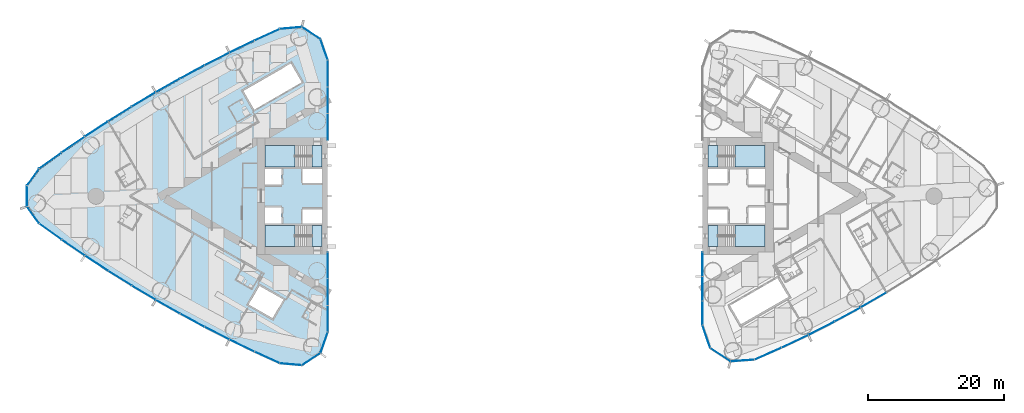
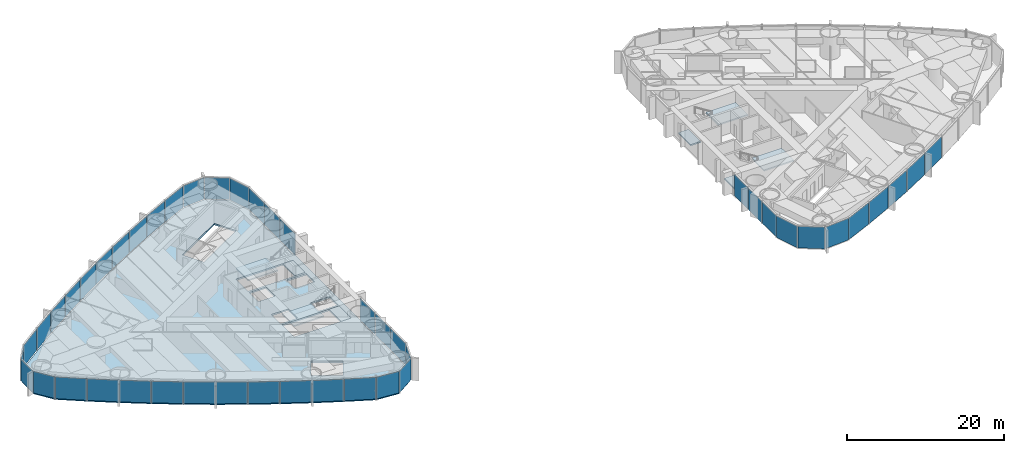
# One storey, part 9 of 18: 46 plates, 9 slabs, 6 elements without a shape of their own.
"""IFC4 building model written with IfcOpenShell, lengths in metres."""

from ifc_helpers import new_model, si_unit, direction, frame, origin, origin_2d, place, context, subcontext, project, spatial, polyline, rectangle, outline, extrude, material, layer, layer_set, type_object, element, aggregate, save


model = new_model("IFC4")

# Units and contexts
model_context = context("Model", 3, precision=1e-05, world=origin(), true_north=direction((0.0, 1.0)))
body_context = subcontext(model_context, "Body", "Model", "MODEL_VIEW")
ifc_project = project(units=[si_unit("LENGTHUNIT", "METRE"), si_unit("AREAUNIT", "SQUARE_METRE"), si_unit("VOLUMEUNIT", "CUBIC_METRE"), si_unit("PLANEANGLEUNIT", "RADIAN"), si_unit("MASSUNIT", "GRAM", prefix="KILO")], contexts=[model_context])

# Site, building, storey
site_placement = place(None, origin())
site = spatial("IfcSite", under=ifc_project, at=site_placement, CompositionType="ELEMENT")
building_placement = place(site_placement, origin())
building = spatial("IfcBuilding", under=site, at=building_placement, Name="Lancet Gate Hotel", CompositionType="ELEMENT")
storey_placement = place(building_placement, frame((0.0, 0.0, 101.10009765625)))
storey = spatial("IfcBuildingStorey", under=building, at=storey_placement, Name="L26", CompositionType="ELEMENT", Elevation=101.10009765625)

# Slab
ifc_material_1 = material(Name="Concrete C50/60", Category="concrete")
ifc_layer_1 = layer(ifc_material_1, 0.25)
ifc_layer_set_1 = layer_set([ifc_layer_1], Name="Floor slab 250")
slab_type_1 = type_object("IfcSlabType", Name="Floor slab 250", PredefinedType="FLOOR", material=ifc_layer_set_1)
slab_1_placement = place(storey_placement, frame((0.0, 0.0, -0.25)))
element("IfcSlab", 1, at=slab_1_placement, inside=storey, type_object=slab_type_1, Name="T1 L26 floor slab", PredefinedType="FLOOR", context=body_context, shape_type="SweptSolid", body=[
    extrude(outline(polyline([(-27.5, 8.60009765625), (-27.6201171875, 8.60009765625), (-27.6201171875, 19.950927734375), (-28.65966796875, 22.970947265625), (-31.320068359375, 24.69921875), (-34.5009765625, 24.421630859375), (-38.201416015625, 22.727783203125), (-41.8818359375, 20.946044921875), (-45.523193359375, 19.085693359375), (-49.12353515625, 17.147216796875), (-52.681396484375, 15.131591796875), (-56.195068359375, 13.0400390625), (-59.662841796875, 10.873291015625), (-63.0830078125, 8.63232421875), (-66.454345703125, 6.318115234375), (-69.76025390625, 3.94287109375), (-71.523193359375, 1.49755859375), (-71.523193359375, -1.49755859375), (-69.76025390625, -3.94287109375), (-66.454345703125, -6.318115234375), (-63.0830078125, -8.63232421875), (-59.662841796875, -10.873291015625), (-56.195068359375, -13.0400390625), (-52.681396484375, -15.131591796875), (-49.12353515625, -17.147216796875), (-45.523193359375, -19.085693359375), (-41.8818359375, -20.946044921875), (-38.201416015625, -22.727783203125), (-34.5009765625, -24.421630859375), (-31.320068359375, -24.69921875), (-28.65966796875, -22.970947265625), (-27.6201171875, -19.950927734375), (-27.6201171875, -8.60009765625), (-27.5, -8.60009765625), (-27.5, -8.199951171875), (-27.5, 8.199951171875), (-27.5, 8.60009765625)]), holes=[polyline([(-36.699951171875, 7.39990234375), (-36.699951171875, 4.300048828125), (-28.300048828125, 4.300048828125), (-28.300048828125, 7.39990234375), (-36.699951171875, 7.39990234375)]), polyline([(-28.300048828125, 4.0), (-31.199951171875, 4.0), (-31.199951171875, 1.89990234375), (-28.300048828125, 1.89990234375), (-28.300048828125, 4.0)]), polyline([(-34.25, 4.0), (-36.699951171875, 4.0), (-36.699951171875, 1.64990234375), (-34.25, 1.64990234375), (-34.25, 4.0)]), polyline([(-36.699951171875, -1.64990234375), (-36.699951171875, -4.0), (-34.25, -4.0), (-34.25, -1.64990234375), (-36.699951171875, -1.64990234375)]), polyline([(-28.300048828125, -1.89990234375), (-31.199951171875, -1.89990234375), (-31.199951171875, -4.0), (-28.300048828125, -4.0), (-28.300048828125, -1.89990234375)]), polyline([(-28.300048828125, -4.300048828125), (-36.699951171875, -4.300048828125), (-36.699951171875, -7.39990234375), (-28.300048828125, -7.39990234375), (-28.300048828125, -4.300048828125)]), polyline([(-31.2900390625, 16.73095703125), (-32.889892578125, 19.501953125), (-39.904052734375, 15.451904296875), (-38.303955078125, 12.680908203125), (-31.2900390625, 16.73095703125)]), polyline([(-33.97412109375, -15.180908203125), (-37.52490234375, -13.131103515625), (-39.125, -15.902099609375), (-35.573974609375, -17.951904296875), (-33.97412109375, -15.180908203125)])]), origin(), (0.0, 0.0, 1.0), 0.25),
])

# Stair, slabs
ifc_material_2 = material(Name="Exit stair 20 risers 1500")
stair_type = type_object("IfcStairType", Name="Exit stair 20 risers 1500", PredefinedType="HALF_TURN_STAIR", material=ifc_material_2)
stair_1_placement = place(storey_placement, origin())
stair_1 = element("IfcStair", 2, at=stair_1_placement, inside=storey, type_object=stair_type, Name="T1 stair 1 L26", PredefinedType="HALF_TURN_STAIR")
ifc_material_3 = material(Name="Concrete C40/50", Category="concrete")
ifc_layer_2 = layer(ifc_material_3, 0.199951171875)
ifc_layer_set_2 = layer_set([ifc_layer_2], Name="Stair landing 200")
slab_type_2 = type_object("IfcSlabType", Name="Stair landing 200", PredefinedType="LANDING", material=ifc_layer_set_2)
slab_2_placement = place(storey_placement, frame((0.0, 0.0, -0.2001953125)))
slab_2 = element("IfcSlab", 3, at=slab_2_placement, type_object=slab_type_2, Name="ST1 landing 1", PredefinedType="LANDING", context=body_context, shape_type="SweptSolid", body=[
    extrude(outline(polyline([(-28.300048828125, 7.39990234375), (-29.800048828125, 7.39990234375), (-29.800048828125, 4.300048828125), (-28.300048828125, 4.300048828125), (-28.300048828125, 7.39990234375)])), origin(), (0.0, 0.0, 1.0), 0.2001953125),
])
slab_3_placement = place(storey_placement, frame((0.0, 0.0, 1.5498046875)))
slab_3 = element("IfcSlab", 4, at=slab_3_placement, type_object=slab_type_2, Name="ST1 landing 2", PredefinedType="LANDING", context=body_context, shape_type="SweptSolid", body=[
    extrude(outline(polyline([(-32.320068359375, 7.39990234375), (-36.699951171875, 7.39990234375), (-36.699951171875, 4.300048828125), (-32.320068359375, 4.300048828125), (-32.320068359375, 7.39990234375)])), origin(), (0.0, 0.0, 1.0), 0.2001953125),
])
aggregate(stair_1, [slab_2, slab_3])

stair_2_placement = place(storey_placement, origin())
stair_2 = element("IfcStair", 5, at=stair_2_placement, inside=storey, type_object=stair_type, Name="T1 stair 2 L26", PredefinedType="HALF_TURN_STAIR")
slab_4_placement = place(storey_placement, frame((0.0, 0.0, -0.2001953125)))
slab_4 = element("IfcSlab", 6, at=slab_4_placement, type_object=slab_type_2, Name="ST2 landing 1", PredefinedType="LANDING", context=body_context, shape_type="SweptSolid", body=[
    extrude(outline(polyline([(-28.300048828125, -4.300048828125), (-29.800048828125, -4.300048828125), (-29.800048828125, -7.39990234375), (-28.300048828125, -7.39990234375), (-28.300048828125, -4.300048828125)])), origin(), (0.0, 0.0, 1.0), 0.2001953125),
])
slab_5_placement = place(storey_placement, frame((0.0, 0.0, 1.5498046875)))
slab_5 = element("IfcSlab", 7, at=slab_5_placement, type_object=slab_type_2, Name="ST2 landing 2", PredefinedType="LANDING", context=body_context, shape_type="SweptSolid", body=[
    extrude(outline(polyline([(-32.320068359375, -4.300048828125), (-36.699951171875, -4.300048828125), (-36.699951171875, -7.39990234375), (-32.320068359375, -7.39990234375), (-32.320068359375, -4.300048828125)])), origin(), (0.0, 0.0, 1.0), 0.2001953125),
])
aggregate(stair_2, [slab_4, slab_5])

stair_3_placement = place(storey_placement, origin())
stair_3 = element("IfcStair", 8, at=stair_3_placement, inside=storey, type_object=stair_type, Name="T2 stair 1 L26", PredefinedType="HALF_TURN_STAIR")
slab_6_placement = place(storey_placement, frame((0.0, 0.0, -0.2001953125)))
slab_6 = element("IfcSlab", 9, at=slab_6_placement, type_object=slab_type_2, Name="ST3 landing 1", PredefinedType="LANDING", context=body_context, shape_type="SweptSolid", body=[
    extrude(outline(polyline([(28.300048828125, -7.39990234375), (29.800048828125, -7.39990234375), (29.800048828125, -4.300048828125), (28.300048828125, -4.300048828125), (28.300048828125, -7.39990234375)])), origin(), (0.0, 0.0, 1.0), 0.2001953125),
])
slab_7_placement = place(storey_placement, frame((0.0, 0.0, 1.5498046875)))
slab_7 = element("IfcSlab", 10, at=slab_7_placement, type_object=slab_type_2, Name="ST3 landing 2", PredefinedType="LANDING", context=body_context, shape_type="SweptSolid", body=[
    extrude(outline(polyline([(32.320068359375, -7.39990234375), (36.699951171875, -7.39990234375), (36.699951171875, -4.300048828125), (32.320068359375, -4.300048828125), (32.320068359375, -7.39990234375)])), origin(), (0.0, 0.0, 1.0), 0.2001953125),
])
aggregate(stair_3, [slab_6, slab_7])

stair_4_placement = place(storey_placement, origin())
stair_4 = element("IfcStair", 11, at=stair_4_placement, inside=storey, type_object=stair_type, Name="T2 stair 2 L26", PredefinedType="HALF_TURN_STAIR")
slab_8_placement = place(storey_placement, frame((0.0, 0.0, -0.2001953125)))
slab_8 = element("IfcSlab", 12, at=slab_8_placement, type_object=slab_type_2, Name="ST4 landing 1", PredefinedType="LANDING", context=body_context, shape_type="SweptSolid", body=[
    extrude(outline(polyline([(28.300048828125, 4.300048828125), (29.800048828125, 4.300048828125), (29.800048828125, 7.39990234375), (28.300048828125, 7.39990234375), (28.300048828125, 4.300048828125)])), origin(), (0.0, 0.0, 1.0), 0.2001953125),
])
slab_9_placement = place(storey_placement, frame((0.0, 0.0, 1.5498046875)))
slab_9 = element("IfcSlab", 13, at=slab_9_placement, type_object=slab_type_2, Name="ST4 landing 2", PredefinedType="LANDING", context=body_context, shape_type="SweptSolid", body=[
    extrude(outline(polyline([(32.320068359375, 4.300048828125), (36.699951171875, 4.300048828125), (36.699951171875, 7.39990234375), (32.320068359375, 7.39990234375), (32.320068359375, 4.300048828125)])), origin(), (0.0, 0.0, 1.0), 0.2001953125),
])
aggregate(stair_4, [slab_8, slab_9])

# Curtain wall, plates
ifc_material_4 = material(Name="Aluminium curtain wall", Category="aluminium")
curtain_wall_type = type_object("IfcCurtainWallType", Name="Tower unitised curtain wall", PredefinedType="USERDEFINED", material=ifc_material_4)
curtain_wall_1_placement = place(storey_placement, origin())
curtain_wall_1 = element("IfcCurtainWall", 14, at=curtain_wall_1_placement, inside=storey, type_object=curtain_wall_type, Name="T1 L26 curtain wall 1", ObjectType="UNITISED CURTAIN WALL", PredefinedType="USERDEFINED")
ifc_material_5 = material(Name="Glass double glazed unit 8-16-6", Category="glass")
ifc_layer_3 = layer(ifc_material_5, 0.030029296875)
ifc_layer_set_3 = layer_set([ifc_layer_3], Name="Vision panel double glazed")
plate_type = type_object("IfcPlateType", Name="Vision panel double glazed", PredefinedType="CURTAIN_PANEL", material=ifc_layer_set_3)
plate_1_placement = place(storey_placement, frame((-27.5, 10.161865234375, -0.000244140625), z_axis=(0.0, 0.0, 1.0), x_axis=(0.0, 1.0, 0.0)))
plate_1 = element("IfcPlate", 15, at=plate_1_placement, type_object=plate_type, Name="T1 L26 curtain wall 1 panel 1", PredefinedType="CURTAIN_PANEL", context=body_context, shape_type="SweptSolid", body=[
    extrude(rectangle(XDim=3.858642578125, YDim=0.030029296875, at=origin_2d()), origin(), (0.0, 0.0, 1.0), 3.35009765625),
])
plate_2_placement = place(storey_placement, frame((-27.5, 14.08544921875, -0.000244140625), z_axis=(0.0, 0.0, 1.0), x_axis=(0.0, 1.0, 0.0)))
plate_2 = element("IfcPlate", 16, at=plate_2_placement, type_object=plate_type, Name="T1 L26 curtain wall 1 panel 2", PredefinedType="CURTAIN_PANEL", context=body_context, shape_type="SweptSolid", body=[
    extrude(rectangle(XDim=3.858642578125, YDim=0.030029296875, at=origin_2d()), origin(), (0.0, 0.0, 1.0), 3.35009765625),
])
plate_3_placement = place(storey_placement, frame((-27.5, 18.00927734375, -0.000244140625), z_axis=(0.0, 0.0, 1.0), x_axis=(0.0, 1.0, 0.0)))
plate_3 = element("IfcPlate", 17, at=plate_3_placement, type_object=plate_type, Name="T1 L26 curtain wall 1 panel 3", PredefinedType="CURTAIN_PANEL", context=body_context, shape_type="SweptSolid", body=[
    extrude(rectangle(XDim=3.858642578125, YDim=0.030029296875, at=origin_2d()), origin(), (0.0, 0.0, 1.0), 3.35009765625),
])
plate_4_placement = place(storey_placement, frame((-28.02978515625, 21.510009765625, -0.000244140625), z_axis=(0.0, 0.0, 1.0), x_axis=(-0.325515820766, 0.945536593914, 0.0)))
plate_4 = element("IfcPlate", 18, at=plate_4_placement, type_object=plate_type, Name="T1 L26 curtain wall 1 panel 4", PredefinedType="CURTAIN_PANEL", context=body_context, shape_type="SweptSolid", body=[
    extrude(rectangle(XDim=3.190185546875, YDim=0.030029296875, at=origin_2d()), origin(), (0.0, 0.0, 1.0), 3.35009765625),
])
plate_5_placement = place(storey_placement, frame((-29.924560546875, 23.935546875, -0.000244140625), z_axis=(0.0, 0.0, 1.0), x_axis=(-0.838580121261, 0.544778285385, 0.0)))
plate_5 = element("IfcPlate", 19, at=plate_5_placement, type_object=plate_type, Name="T1 L26 curtain wall 1 panel 5", PredefinedType="CURTAIN_PANEL", context=body_context, shape_type="SweptSolid", body=[
    extrude(rectangle(XDim=3.190185546875, YDim=0.030029296875, at=origin_2d()), origin(), (0.0, 0.0, 1.0), 3.35009765625),
])
plate_6_placement = place(storey_placement, frame((-32.91064453125, 24.680908203125, -0.000244140625), z_axis=(0.0, 0.0, 1.0), x_axis=(-0.996218779711, -0.086880049207, 0.0)))
plate_6 = element("IfcPlate", 20, at=plate_6_placement, type_object=plate_type, Name="T1 L26 curtain wall 1 panel 6", PredefinedType="CURTAIN_PANEL", context=body_context, shape_type="SweptSolid", body=[
    extrude(rectangle(XDim=3.190185546875, YDim=0.030029296875, at=origin_2d()), origin(), (0.0, 0.0, 1.0), 3.35009765625),
])
plate_7_placement = place(storey_placement, frame((-36.392333984375, 23.68798828125, -0.000244140625), z_axis=(0.0, 0.0, 1.0), x_axis=(-0.909252721243, -0.416244506166, 0.0)))
plate_7 = element("IfcPlate", 21, at=plate_7_placement, type_object=plate_type, Name="T1 L26 curtain wall 1 panel 7", PredefinedType="CURTAIN_PANEL", context=body_context, shape_type="SweptSolid", body=[
    extrude(rectangle(XDim=4.026611328125, YDim=0.030029296875, at=origin_2d()), origin(), (0.0, 0.0, 1.0), 3.35009765625),
])
plate_8_placement = place(storey_placement, frame((-40.093994140625, 21.945068359375, -0.000244140625), z_axis=(0.0, 0.0, 1.0), x_axis=(-0.900081672047, -0.435721222395, 0.0)))
plate_8 = element("IfcPlate", 22, at=plate_8_placement, type_object=plate_type, Name="T1 L26 curtain wall 1 panel 8", PredefinedType="CURTAIN_PANEL", context=body_context, shape_type="SweptSolid", body=[
    extrude(rectangle(XDim=4.026611328125, YDim=0.030029296875, at=origin_2d()), origin(), (0.0, 0.0, 1.0), 3.35009765625),
])
plate_9_placement = place(storey_placement, frame((-43.757080078125, 20.122802734375, -0.000244140625), z_axis=(0.0, 0.0, 1.0), x_axis=(-0.890493479451, -0.45499600334, 0.0)))
plate_9 = element("IfcPlate", 23, at=plate_9_placement, type_object=plate_type, Name="T1 L26 curtain wall 1 panel 9", PredefinedType="CURTAIN_PANEL", context=body_context, shape_type="SweptSolid", body=[
    extrude(rectangle(XDim=4.026611328125, YDim=0.030029296875, at=origin_2d()), origin(), (0.0, 0.0, 1.0), 3.35009765625),
])
plate_10_placement = place(storey_placement, frame((-47.380126953125, 18.221923828125, -0.000244140625), z_axis=(0.0, 0.0, 1.0), x_axis=(-0.880492587094, -0.474059916121, 0.0)))
plate_10 = element("IfcPlate", 24, at=plate_10_placement, type_object=plate_type, Name="T1 L26 curtain wall 1 panel 10", PredefinedType="CURTAIN_PANEL", context=body_context, shape_type="SweptSolid", body=[
    extrude(rectangle(XDim=4.026611328125, YDim=0.030029296875, at=origin_2d()), origin(), (0.0, 0.0, 1.0), 3.35009765625),
])
plate_11_placement = place(storey_placement, frame((-50.961669921875, 16.243896484375, -0.000244140625), z_axis=(0.0, 0.0, 1.0), x_axis=(-0.870083629903, -0.49290412554, 0.0)))
plate_11 = element("IfcPlate", 25, at=plate_11_placement, type_object=plate_type, Name="T1 L26 curtain wall 1 panel 11", PredefinedType="CURTAIN_PANEL", context=body_context, shape_type="SweptSolid", body=[
    extrude(rectangle(XDim=4.026611328125, YDim=0.030029296875, at=origin_2d()), origin(), (0.0, 0.0, 1.0), 3.35009765625),
])
plate_12_placement = place(storey_placement, frame((-54.49951171875, 14.18896484375, -0.000244140625), z_axis=(0.0, 0.0, 1.0), x_axis=(-0.859271431916, -0.511519898238, 0.0)))
plate_12 = element("IfcPlate", 26, at=plate_12_placement, type_object=plate_type, Name="T1 L26 curtain wall 1 panel 12", PredefinedType="CURTAIN_PANEL", context=body_context, shape_type="SweptSolid", body=[
    extrude(rectangle(XDim=4.026611328125, YDim=0.030029296875, at=origin_2d()), origin(), (0.0, 0.0, 1.0), 3.35009765625),
])
plate_13_placement = place(storey_placement, frame((-57.992431640625, 12.058349609375, -0.000244140625), z_axis=(0.0, 0.0, 1.0), x_axis=(-0.848061004052, -0.529898606722, 0.0)))
plate_13 = element("IfcPlate", 27, at=plate_13_placement, type_object=plate_type, Name="T1 L26 curtain wall 1 panel 13", PredefinedType="CURTAIN_PANEL", context=body_context, shape_type="SweptSolid", body=[
    extrude(rectangle(XDim=4.026611328125, YDim=0.030029296875, at=origin_2d()), origin(), (0.0, 0.0, 1.0), 3.35009765625),
])
plate_14_placement = place(storey_placement, frame((-61.438720703125, 9.85302734375, -0.000244140625), z_axis=(0.0, 0.0, 1.0), x_axis=(-0.836457541791, -0.54803173337, 0.0)))
plate_14 = element("IfcPlate", 28, at=plate_14_placement, type_object=plate_type, Name="T1 L26 curtain wall 1 panel 14", PredefinedType="CURTAIN_PANEL", context=body_context, shape_type="SweptSolid", body=[
    extrude(rectangle(XDim=4.026611328125, YDim=0.030029296875, at=origin_2d()), origin(), (0.0, 0.0, 1.0), 3.35009765625),
])
plate_15_placement = place(storey_placement, frame((-64.836669921875, 7.57421875, -0.000244140625), z_axis=(0.0, 0.0, 1.0), x_axis=(-0.824466422775, -0.565910874357, 0.0)))
plate_15 = element("IfcPlate", 29, at=plate_15_placement, type_object=plate_type, Name="T1 L26 curtain wall 1 panel 15", PredefinedType="CURTAIN_PANEL", context=body_context, shape_type="SweptSolid", body=[
    extrude(rectangle(XDim=4.026611328125, YDim=0.030029296875, at=origin_2d()), origin(), (0.0, 0.0, 1.0), 3.35009765625),
])
plate_16_placement = place(storey_placement, frame((-68.184814453125, 5.22265625, -0.000244140625), z_axis=(0.0, 0.0, 1.0), x_axis=(-0.812093204276, -0.583527743615, 0.0)))
plate_16 = element("IfcPlate", 30, at=plate_16_placement, type_object=plate_type, Name="T1 L26 curtain wall 1 panel 16", PredefinedType="CURTAIN_PANEL", context=body_context, shape_type="SweptSolid", body=[
    extrude(rectangle(XDim=4.026611328125, YDim=0.030029296875, at=origin_2d()), origin(), (0.0, 0.0, 1.0), 3.35009765625),
])
plate_17_placement = place(storey_placement, frame((-70.74462890625, 2.782470703125, -0.000244140625), z_axis=(0.0, 0.0, 1.0), x_axis=(-0.584808645706, -0.811171281486, 0.0)))
plate_17 = element("IfcPlate", 31, at=plate_17_placement, type_object=plate_type, Name="T1 L26 curtain wall 1 panel 17", PredefinedType="CURTAIN_PANEL", context=body_context, shape_type="SweptSolid", body=[
    extrude(rectangle(XDim=3.0078125, YDim=0.030029296875, at=origin_2d()), origin(), (0.0, 0.0, 1.0), 3.35009765625),
])
plate_18_placement = place(storey_placement, frame((-71.64306640625, 0.0, -0.000244140625), z_axis=(0.0, 0.0, 1.0), x_axis=(0.0, -1.0, 0.0)))
plate_18 = element("IfcPlate", 32, at=plate_18_placement, type_object=plate_type, Name="T1 L26 curtain wall 1 panel 18", PredefinedType="CURTAIN_PANEL", context=body_context, shape_type="SweptSolid", body=[
    extrude(rectangle(XDim=3.0078125, YDim=0.030029296875, at=origin_2d()), origin(), (0.0, 0.0, 1.0), 3.35009765625),
])
plate_19_placement = place(storey_placement, frame((-70.74462890625, -2.782470703125, -0.000244140625), z_axis=(0.0, 0.0, 1.0), x_axis=(0.584808645706, -0.811171281486, 0.0)))
plate_19 = element("IfcPlate", 33, at=plate_19_placement, type_object=plate_type, Name="T1 L26 curtain wall 1 panel 19", PredefinedType="CURTAIN_PANEL", context=body_context, shape_type="SweptSolid", body=[
    extrude(rectangle(XDim=3.0078125, YDim=0.030029296875, at=origin_2d()), origin(), (0.0, 0.0, 1.0), 3.35009765625),
])
plate_20_placement = place(storey_placement, frame((-68.184814453125, -5.22265625, -0.000244140625), z_axis=(0.0, 0.0, 1.0), x_axis=(0.812093204276, -0.583527743615, 0.0)))
plate_20 = element("IfcPlate", 34, at=plate_20_placement, type_object=plate_type, Name="T1 L26 curtain wall 1 panel 20", PredefinedType="CURTAIN_PANEL", context=body_context, shape_type="SweptSolid", body=[
    extrude(rectangle(XDim=4.026611328125, YDim=0.030029296875, at=origin_2d()), origin(), (0.0, 0.0, 1.0), 3.35009765625),
])
plate_21_placement = place(storey_placement, frame((-64.836669921875, -7.57421875, -0.000244140625), z_axis=(0.0, 0.0, 1.0), x_axis=(0.824466422775, -0.565910874357, 0.0)))
plate_21 = element("IfcPlate", 35, at=plate_21_placement, type_object=plate_type, Name="T1 L26 curtain wall 1 panel 21", PredefinedType="CURTAIN_PANEL", context=body_context, shape_type="SweptSolid", body=[
    extrude(rectangle(XDim=4.026611328125, YDim=0.030029296875, at=origin_2d()), origin(), (0.0, 0.0, 1.0), 3.35009765625),
])
plate_22_placement = place(storey_placement, frame((-61.438720703125, -9.85302734375, -0.000244140625), z_axis=(0.0, 0.0, 1.0), x_axis=(0.836457541791, -0.54803173337, 0.0)))
plate_22 = element("IfcPlate", 36, at=plate_22_placement, type_object=plate_type, Name="T1 L26 curtain wall 1 panel 22", PredefinedType="CURTAIN_PANEL", context=body_context, shape_type="SweptSolid", body=[
    extrude(rectangle(XDim=4.026611328125, YDim=0.030029296875, at=origin_2d()), origin(), (0.0, 0.0, 1.0), 3.35009765625),
])
plate_23_placement = place(storey_placement, frame((-57.992431640625, -12.058349609375, -0.000244140625), z_axis=(0.0, 0.0, 1.0), x_axis=(0.848061004052, -0.529898606722, 0.0)))
plate_23 = element("IfcPlate", 37, at=plate_23_placement, type_object=plate_type, Name="T1 L26 curtain wall 1 panel 23", PredefinedType="CURTAIN_PANEL", context=body_context, shape_type="SweptSolid", body=[
    extrude(rectangle(XDim=4.026611328125, YDim=0.030029296875, at=origin_2d()), origin(), (0.0, 0.0, 1.0), 3.35009765625),
])
plate_24_placement = place(storey_placement, frame((-54.49951171875, -14.18896484375, -0.000244140625), z_axis=(0.0, 0.0, 1.0), x_axis=(0.859271431916, -0.511519898238, 0.0)))
plate_24 = element("IfcPlate", 38, at=plate_24_placement, type_object=plate_type, Name="T1 L26 curtain wall 1 panel 24", PredefinedType="CURTAIN_PANEL", context=body_context, shape_type="SweptSolid", body=[
    extrude(rectangle(XDim=4.026611328125, YDim=0.030029296875, at=origin_2d()), origin(), (0.0, 0.0, 1.0), 3.35009765625),
])
plate_25_placement = place(storey_placement, frame((-50.961669921875, -16.243896484375, -0.000244140625), z_axis=(0.0, 0.0, 1.0), x_axis=(0.870083629903, -0.49290412554, 0.0)))
plate_25 = element("IfcPlate", 39, at=plate_25_placement, type_object=plate_type, Name="T1 L26 curtain wall 1 panel 25", PredefinedType="CURTAIN_PANEL", context=body_context, shape_type="SweptSolid", body=[
    extrude(rectangle(XDim=4.026611328125, YDim=0.030029296875, at=origin_2d()), origin(), (0.0, 0.0, 1.0), 3.35009765625),
])
plate_26_placement = place(storey_placement, frame((-47.380126953125, -18.221923828125, -0.000244140625), z_axis=(0.0, 0.0, 1.0), x_axis=(0.880492587094, -0.474059916121, 0.0)))
plate_26 = element("IfcPlate", 40, at=plate_26_placement, type_object=plate_type, Name="T1 L26 curtain wall 1 panel 26", PredefinedType="CURTAIN_PANEL", context=body_context, shape_type="SweptSolid", body=[
    extrude(rectangle(XDim=4.026611328125, YDim=0.030029296875, at=origin_2d()), origin(), (0.0, 0.0, 1.0), 3.35009765625),
])
plate_27_placement = place(storey_placement, frame((-43.757080078125, -20.122802734375, -0.000244140625), z_axis=(0.0, 0.0, 1.0), x_axis=(0.890493479451, -0.45499600334, 0.0)))
plate_27 = element("IfcPlate", 41, at=plate_27_placement, type_object=plate_type, Name="T1 L26 curtain wall 1 panel 27", PredefinedType="CURTAIN_PANEL", context=body_context, shape_type="SweptSolid", body=[
    extrude(rectangle(XDim=4.026611328125, YDim=0.030029296875, at=origin_2d()), origin(), (0.0, 0.0, 1.0), 3.35009765625),
])
plate_28_placement = place(storey_placement, frame((-40.093994140625, -21.945068359375, -0.000244140625), z_axis=(0.0, 0.0, 1.0), x_axis=(0.900081672047, -0.435721222395, 0.0)))
plate_28 = element("IfcPlate", 42, at=plate_28_placement, type_object=plate_type, Name="T1 L26 curtain wall 1 panel 28", PredefinedType="CURTAIN_PANEL", context=body_context, shape_type="SweptSolid", body=[
    extrude(rectangle(XDim=4.026611328125, YDim=0.030029296875, at=origin_2d()), origin(), (0.0, 0.0, 1.0), 3.35009765625),
])
plate_29_placement = place(storey_placement, frame((-36.392333984375, -23.68798828125, -0.000244140625), z_axis=(0.0, 0.0, 1.0), x_axis=(0.909252721243, -0.416244506166, 0.0)))
plate_29 = element("IfcPlate", 43, at=plate_29_placement, type_object=plate_type, Name="T1 L26 curtain wall 1 panel 29", PredefinedType="CURTAIN_PANEL", context=body_context, shape_type="SweptSolid", body=[
    extrude(rectangle(XDim=4.026611328125, YDim=0.030029296875, at=origin_2d()), origin(), (0.0, 0.0, 1.0), 3.35009765625),
])
plate_30_placement = place(storey_placement, frame((-32.91064453125, -24.680908203125, -0.000244140625), z_axis=(0.0, 0.0, 1.0), x_axis=(0.996218779711, -0.086880049207, 0.0)))
plate_30 = element("IfcPlate", 44, at=plate_30_placement, type_object=plate_type, Name="T1 L26 curtain wall 1 panel 30", PredefinedType="CURTAIN_PANEL", context=body_context, shape_type="SweptSolid", body=[
    extrude(rectangle(XDim=3.190185546875, YDim=0.030029296875, at=origin_2d()), origin(), (0.0, 0.0, 1.0), 3.35009765625),
])
plate_31_placement = place(storey_placement, frame((-29.924560546875, -23.935546875, -0.000244140625), z_axis=(0.0, 0.0, 1.0), x_axis=(0.838580121261, 0.544778285385, 0.0)))
plate_31 = element("IfcPlate", 45, at=plate_31_placement, type_object=plate_type, Name="T1 L26 curtain wall 1 panel 31", PredefinedType="CURTAIN_PANEL", context=body_context, shape_type="SweptSolid", body=[
    extrude(rectangle(XDim=3.190185546875, YDim=0.030029296875, at=origin_2d()), origin(), (0.0, 0.0, 1.0), 3.35009765625),
])
plate_32_placement = place(storey_placement, frame((-28.02978515625, -21.510009765625, -0.000244140625), z_axis=(0.0, 0.0, 1.0), x_axis=(0.325515820766, 0.945536593914, 0.0)))
plate_32 = element("IfcPlate", 46, at=plate_32_placement, type_object=plate_type, Name="T1 L26 curtain wall 1 panel 32", PredefinedType="CURTAIN_PANEL", context=body_context, shape_type="SweptSolid", body=[
    extrude(rectangle(XDim=3.190185546875, YDim=0.030029296875, at=origin_2d()), origin(), (0.0, 0.0, 1.0), 3.35009765625),
])
plate_33_placement = place(storey_placement, frame((-27.5, -18.00927734375, -0.000244140625), z_axis=(0.0, 0.0, 1.0), x_axis=(0.0, 1.0, 0.0)))
plate_33 = element("IfcPlate", 47, at=plate_33_placement, type_object=plate_type, Name="T1 L26 curtain wall 1 panel 33", PredefinedType="CURTAIN_PANEL", context=body_context, shape_type="SweptSolid", body=[
    extrude(rectangle(XDim=3.858642578125, YDim=0.030029296875, at=origin_2d()), origin(), (0.0, 0.0, 1.0), 3.35009765625),
])
plate_34_placement = place(storey_placement, frame((-27.5, -14.08544921875, -0.000244140625), z_axis=(0.0, 0.0, 1.0), x_axis=(0.0, 1.0, 0.0)))
plate_34 = element("IfcPlate", 48, at=plate_34_placement, type_object=plate_type, Name="T1 L26 curtain wall 1 panel 34", PredefinedType="CURTAIN_PANEL", context=body_context, shape_type="SweptSolid", body=[
    extrude(rectangle(XDim=3.858642578125, YDim=0.030029296875, at=origin_2d()), origin(), (0.0, 0.0, 1.0), 3.35009765625),
])
plate_35_placement = place(storey_placement, frame((-27.5, -10.161865234375, -0.000244140625), z_axis=(0.0, 0.0, 1.0), x_axis=(0.0, 1.0, 0.0)))
plate_35 = element("IfcPlate", 49, at=plate_35_placement, type_object=plate_type, Name="T1 L26 curtain wall 1 panel 35", PredefinedType="CURTAIN_PANEL", context=body_context, shape_type="SweptSolid", body=[
    extrude(rectangle(XDim=3.858642578125, YDim=0.030029296875, at=origin_2d()), origin(), (0.0, 0.0, 1.0), 3.35009765625),
])
aggregate(curtain_wall_1, [plate_1, plate_2, plate_3, plate_4, plate_5, plate_6, plate_7, plate_8, plate_9, plate_10, plate_11, plate_12, plate_13, plate_14, plate_15, plate_16, plate_17, plate_18, plate_19, plate_20, plate_21, plate_22, plate_23, plate_24, plate_25, plate_26, plate_27, plate_28, plate_29, plate_30, plate_31, plate_32, plate_33, plate_34, plate_35])

curtain_wall_2_placement = place(storey_placement, origin())
curtain_wall_2 = element("IfcCurtainWall", 50, at=curtain_wall_2_placement, inside=storey, type_object=curtain_wall_type, Name="T2 L26 curtain wall 1", ObjectType="UNITISED CURTAIN WALL", PredefinedType="USERDEFINED")
plate_36_placement = place(storey_placement, frame((27.5, -9.990478515625, -0.000244140625), z_axis=(0.0, 0.0, 1.0), x_axis=(0.0, -1.0, 0.0)))
plate_36 = element("IfcPlate", 51, at=plate_36_placement, type_object=plate_type, Name="T2 L26 curtain wall 1 panel 1", PredefinedType="CURTAIN_PANEL", context=body_context, shape_type="SweptSolid", body=[
    extrude(rectangle(XDim=3.515869140625, YDim=0.030029296875, at=origin_2d()), origin(), (0.0, 0.0, 1.0), 3.35009765625),
])
plate_37_placement = place(storey_placement, frame((27.5, -13.571533203125, -0.000244140625), z_axis=(0.0, 0.0, 1.0), x_axis=(0.0, -1.0, 0.0)))
plate_37 = element("IfcPlate", 52, at=plate_37_placement, type_object=plate_type, Name="T2 L26 curtain wall 1 panel 2", PredefinedType="CURTAIN_PANEL", context=body_context, shape_type="SweptSolid", body=[
    extrude(rectangle(XDim=3.515869140625, YDim=0.030029296875, at=origin_2d()), origin(), (0.0, 0.0, 1.0), 3.35009765625),
])
plate_38_placement = place(storey_placement, frame((27.5, -17.15234375, -0.000244140625), z_axis=(0.0, 0.0, 1.0), x_axis=(0.0, -1.0, 0.0)))
plate_38 = element("IfcPlate", 53, at=plate_38_placement, type_object=plate_type, Name="T2 L26 curtain wall 1 panel 3", PredefinedType="CURTAIN_PANEL", context=body_context, shape_type="SweptSolid", body=[
    extrude(rectangle(XDim=3.515869140625, YDim=0.030029296875, at=origin_2d()), origin(), (0.0, 0.0, 1.0), 3.35009765625),
])
plate_39_placement = place(storey_placement, frame((28.072265625, -20.622314453125, -0.000244140625), z_axis=(0.0, 0.0, 1.0), x_axis=(0.32257568891, -0.946543673015, 0.0)))
plate_39 = element("IfcPlate", 54, at=plate_39_placement, type_object=plate_type, Name="T2 L26 curtain wall 1 panel 4", PredefinedType="CURTAIN_PANEL", context=body_context, shape_type="SweptSolid", body=[
    extrude(rectangle(XDim=3.4833984375, YDim=0.030029296875, at=origin_2d()), origin(), (0.0, 0.0, 1.0), 3.35009765625),
])
plate_40_placement = place(storey_placement, frame((30.123291015625, -23.281982421875, -0.000244140625), z_axis=(0.0, 0.0, 1.0), x_axis=(0.833464516611, -0.552572981198, 0.0)))
plate_40 = element("IfcPlate", 55, at=plate_40_placement, type_object=plate_type, Name="T2 L26 curtain wall 1 panel 5", PredefinedType="CURTAIN_PANEL", context=body_context, shape_type="SweptSolid", body=[
    extrude(rectangle(XDim=3.4833984375, YDim=0.030029296875, at=origin_2d()), origin(), (0.0, 0.0, 1.0), 3.35009765625),
])
plate_41_placement = place(storey_placement, frame((33.37158203125, -24.1357421875, -0.000244140625), z_axis=(0.0, 0.0, 1.0), x_axis=(0.997448492935, 0.07138980278, 0.0)))
plate_41 = element("IfcPlate", 56, at=plate_41_placement, type_object=plate_type, Name="T2 L26 curtain wall 1 panel 6", PredefinedType="CURTAIN_PANEL", context=body_context, shape_type="SweptSolid", body=[
    extrude(rectangle(XDim=3.4833984375, YDim=0.030029296875, at=origin_2d()), origin(), (0.0, 0.0, 1.0), 3.35009765625),
])
plate_42_placement = place(storey_placement, frame((37.13134765625, -23.13427734375, -0.000244140625), z_axis=(0.0, 0.0, 1.0), x_axis=(0.915478658759, 0.40236653111, 0.0)))
plate_42 = element("IfcPlate", 57, at=plate_42_placement, type_object=plate_type, Name="T2 L26 curtain wall 1 panel 7", PredefinedType="CURTAIN_PANEL", context=body_context, shape_type="SweptSolid", body=[
    extrude(rectangle(XDim=4.2822265625, YDim=0.030029296875, at=origin_2d()), origin(), (0.0, 0.0, 1.0), 3.35009765625),
])
plate_43_placement = place(storey_placement, frame((41.08544921875, -21.3291015625, -0.000244140625), z_axis=(0.0, 0.0, 1.0), x_axis=(0.903683440096, 0.428201167789, 0.0)))
plate_43 = element("IfcPlate", 58, at=plate_43_placement, type_object=plate_type, Name="T2 L26 curtain wall 1 panel 8", PredefinedType="CURTAIN_PANEL", context=body_context, shape_type="SweptSolid", body=[
    extrude(rectangle(XDim=4.2822265625, YDim=0.030029296875, at=origin_2d()), origin(), (0.0, 0.0, 1.0), 3.35009765625),
])
plate_44_placement = place(storey_placement, frame((44.98681640625, -19.412109375, -0.000244140625), z_axis=(0.0, 0.0, 1.0), x_axis=(0.891159350462, 0.453690436403, 0.0)))
plate_44 = element("IfcPlate", 59, at=plate_44_placement, type_object=plate_type, Name="T2 L26 curtain wall 1 panel 9", PredefinedType="CURTAIN_PANEL", context=body_context, shape_type="SweptSolid", body=[
    extrude(rectangle(XDim=4.2822265625, YDim=0.030029296875, at=origin_2d()), origin(), (0.0, 0.0, 1.0), 3.35009765625),
])
plate_45_placement = place(storey_placement, frame((48.832275390625, -17.38525390625, -0.000244140625), z_axis=(0.0, 0.0, 1.0), x_axis=(0.877916491224, 0.478813778454, 0.0)))
plate_45 = element("IfcPlate", 60, at=plate_45_placement, type_object=plate_type, Name="T2 L26 curtain wall 1 panel 10", PredefinedType="CURTAIN_PANEL", context=body_context, shape_type="SweptSolid", body=[
    extrude(rectangle(XDim=4.2822265625, YDim=0.030029296875, at=origin_2d()), origin(), (0.0, 0.0, 1.0), 3.35009765625),
])
plate_46_placement = place(storey_placement, frame((52.618408203125, -15.249755859375, -0.000244140625), z_axis=(0.0, 0.0, 1.0), x_axis=(0.863965543499, 0.503550930538, 0.0)))
plate_46 = element("IfcPlate", 61, at=plate_46_placement, type_object=plate_type, Name="T2 L26 curtain wall 1 panel 11", PredefinedType="CURTAIN_PANEL", context=body_context, shape_type="SweptSolid", body=[
    extrude(rectangle(XDim=4.2822265625, YDim=0.030029296875, at=origin_2d()), origin(), (0.0, 0.0, 1.0), 3.35009765625),
])
aggregate(curtain_wall_2, [plate_36, plate_37, plate_38, plate_39, plate_40, plate_41, plate_42, plate_43, plate_44, plate_45, plate_46])

save(model, "model.ifc")
